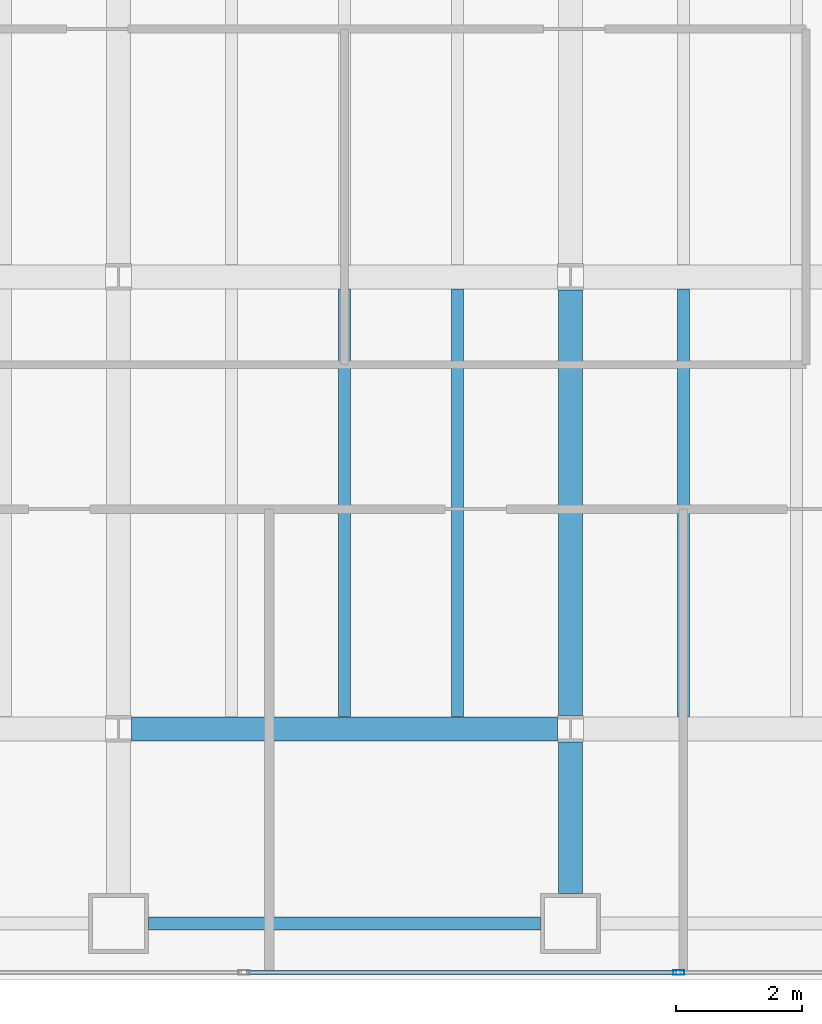
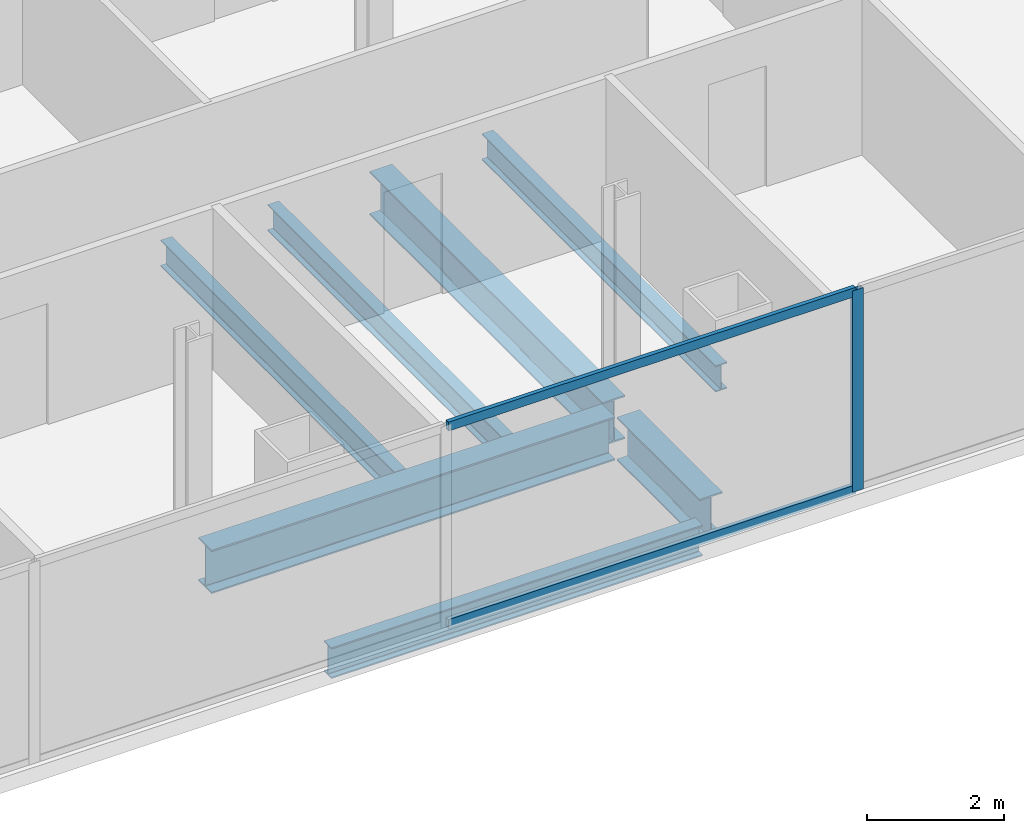
# One storey, part 5 of 23: 7 beams, 3 members, 1 element without a shape of its own.
"""IFC4 building model written with IfcOpenShell, lengths in metres."""

from ifc_helpers import new_model, si_unit, direction, frame, origin, origin_2d, place, context, subcontext, project, spatial, hollow_rectangle, i_section, extrude, material, material_profile, profile_set, type_object, element, aggregate, save


model = new_model("IFC4")

# Units and contexts
model_context = context("Model", 3, precision=1e-05, world=origin(), true_north=direction((0.0, 1.0)))
body_context = subcontext(model_context, "Body", "Model", "MODEL_VIEW")
ifc_project = project(units=[si_unit("LENGTHUNIT", "METRE"), si_unit("AREAUNIT", "SQUARE_METRE"), si_unit("VOLUMEUNIT", "CUBIC_METRE"), si_unit("PLANEANGLEUNIT", "RADIAN"), si_unit("MASSUNIT", "GRAM", prefix="KILO")], contexts=[model_context])

# Site, building, storey
site_placement = place(None, origin())
site = spatial("IfcSite", under=ifc_project, at=site_placement, CompositionType="ELEMENT")
building_placement = place(site_placement, origin())
building = spatial("IfcBuilding", under=site, at=building_placement, Name="Cobrela Telecom Tower", CompositionType="ELEMENT")
storey_placement = place(building_placement, frame((0.0, 0.0, 113.75)))
storey = spatial("IfcBuildingStorey", under=building, at=storey_placement, Name="L28", CompositionType="ELEMENT", Elevation=113.75)

# Beams
ifc_material_1 = material(Name="Steel ASTM A992 Grade 50", Category="steel")
ifc_material_profile_1 = material_profile(ifc_material_1, i_section(OverallWidth=0.381103515625, OverallDepth=0.77197265625, WebThickness=0.0166015625, FlangeThickness=0.027099609375, FilletRadius=0.01904296875, at=origin_2d()), Name="W30X173")
ifc_profile_set_1 = profile_set([ifc_material_profile_1], Name="Steel ASTM A992 Grade 50")
beam_type_1 = type_object("IfcBeamType", Name="BM-GIRD-04", PredefinedType="USERDEFINED", material=ifc_profile_set_1)
beam_1_placement = place(storey_placement, frame((21.8095703125, 7.199951171875, -0.656005859375), z_axis=(1.0, 0.0, 0.0), x_axis=(0.0, 1.0, 0.0)))
element("IfcBeam", 1, at=beam_1_placement, inside=storey, type_object=beam_type_1, Name="L28 Primary Girder X09", ObjectType="GIRDER", PredefinedType="USERDEFINED", context=body_context, shape_type="SweptSolid", body=[
    extrude(i_section(OverallWidth=0.381103515625, OverallDepth=0.77197265625, WebThickness=0.0166015625, FlangeThickness=0.027099609375, FilletRadius=0.01904296875, at=origin_2d()), origin(), (0.0, 0.0, 1.0), 6.781005859375),
])
beam_2_placement = place(storey_placement, frame((28.800048828125, 4.580078125, -0.656005859375), z_axis=(0.0, 1.0, 0.0), x_axis=(-1.0, 0.0, 0.0)))
element("IfcBeam", 2, at=beam_2_placement, inside=storey, type_object=beam_type_1, Name="L28 Primary Girder Y46", ObjectType="GIRDER", PredefinedType="USERDEFINED", context=body_context, shape_type="SweptSolid", body=[
    extrude(i_section(OverallWidth=0.381103515625, OverallDepth=0.77197265625, WebThickness=0.0166015625, FlangeThickness=0.027099609375, FilletRadius=0.01904296875, at=origin_2d()), origin(), (0.0, 0.0, 1.0), 2.410400390625),
])
beam_3_placement = place(storey_placement, frame((28.800048828125, 7.409423828125, -0.656005859375), z_axis=(0.0, 1.0, 0.0), x_axis=(-1.0, 0.0, 0.0)))
element("IfcBeam", 3, at=beam_3_placement, inside=storey, type_object=beam_type_1, Name="L28 Primary Girder Y47", ObjectType="GIRDER", PredefinedType="USERDEFINED", context=body_context, shape_type="SweptSolid", body=[
    extrude(i_section(OverallWidth=0.381103515625, OverallDepth=0.77197265625, WebThickness=0.0166015625, FlangeThickness=0.027099609375, FilletRadius=0.01904296875, at=origin_2d()), origin(), (0.0, 0.0, 1.0), 6.781005859375),
])
ifc_material_profile_2 = material_profile(ifc_material_1, i_section(OverallWidth=0.193115234375, OverallDepth=0.467041015625, WebThickness=0.011474609375, FlangeThickness=0.01904296875, FilletRadius=0.012939453125, at=origin_2d()), Name="W18X65")
ifc_profile_set_2 = profile_set([ifc_material_profile_2], Name="Steel ASTM A992 Grade 50")
beam_type_2 = type_object("IfcBeamType", Name="BM-JOIST-03", PredefinedType="JOIST", material=ifc_profile_set_2)
for number, where, z_axis, x_axis, name in (
    (4, (25.199951171875, 7.3955078125, -0.50341796875), (0.0, 1.0, 0.0), (-1.0, 0.0, 0.0), "L28 Secondary Composite Floor Beam J23"),
    (5, (27.0, 7.3955078125, -0.50341796875), (0.0, 1.0, 0.0), (-1.0, 0.0, 0.0), "L28 Secondary Composite Floor Beam J25"),
    (6, (30.60009765625, 7.3955078125, -0.50341796875), (0.0, 1.0, 0.0), (-1.0, 0.0, 0.0), "L28 Secondary Composite Floor Beam J27"),
):
    element("IfcBeam", number, at=place(storey_placement, frame(where, z_axis=z_axis, x_axis=x_axis)), inside=storey, type_object=beam_type_2, Name=name, PredefinedType="JOIST", context=body_context, shape_type="SweptSolid", body=[
        extrude(i_section(OverallWidth=0.193115234375, OverallDepth=0.467041015625, WebThickness=0.011474609375, FlangeThickness=0.01904296875, FilletRadius=0.012939453125, at=origin_2d()), origin(), (0.0, 0.0, 1.0), 6.80908203125),
    ])
ifc_material_profile_3 = material_profile(ifc_material_1, i_section(OverallWidth=0.212890625, OverallDepth=0.549072265625, WebThickness=0.0146484375, FlangeThickness=0.023681640625, FilletRadius=0.013916015625, at=origin_2d()), Name="W21X93")
ifc_profile_set_3 = profile_set([ifc_material_profile_3], Name="Steel ASTM A992 Grade 50")
beam_type_3 = type_object("IfcBeamType", Name="BM-SPAND-03", PredefinedType="SPANDREL", material=ifc_profile_set_3)
beam_4_placement = place(storey_placement, frame((22.080078125, 4.10009765625, -0.54443359375), z_axis=(1.0, 0.0, 0.0), x_axis=(0.0, 1.0, 0.0)))
element("IfcBeam", 7, at=beam_4_placement, inside=storey, type_object=beam_type_3, Name="L28 Perimeter Spandrel X03", PredefinedType="SPANDREL", context=body_context, shape_type="SweptSolid", body=[
    extrude(i_section(OverallWidth=0.212890625, OverallDepth=0.549072265625, WebThickness=0.0146484375, FlangeThickness=0.023681640625, FilletRadius=0.013916015625, at=origin_2d()), origin(), (0.0, 0.0, 1.0), 6.239990234375),
])

# Curtain wall, members
ifc_material_2 = material(Name="Anodized Bronze Aluminium 6063-T6", Category="aluminium")
curtain_wall_type = type_object("IfcCurtainWallType", Name="CW-SYS-TEL", PredefinedType="USERDEFINED", material=ifc_material_2)
curtain_wall_placement = place(storey_placement, origin())
curtain_wall = element("IfcCurtainWall", 8, at=curtain_wall_placement, inside=storey, type_object=curtain_wall_type, Name="L28 Unitised Bronze Curtain Wall 17", ObjectType="UNITISED CURTAIN WALL", PredefinedType="USERDEFINED")
ifc_material_profile_4 = material_profile(ifc_material_2, hollow_rectangle(XDim=0.074951171875, YDim=0.179931640625, WallThickness=0.00390625, at=origin_2d()), Name="ALU 75x180x4")
ifc_profile_set_4 = profile_set([ifc_material_profile_4], Name="Anodized Bronze Aluminium 6063-T6")
member_type_1 = type_object("IfcMemberType", Name="CW-SYS-TEL-MUL", PredefinedType="MULLION", material=ifc_profile_set_4)
member_1_placement = place(storey_placement, frame((30.5234375, 3.320068359375, 0.0), z_axis=(0.0, 0.0, 1.0), x_axis=(0.0, -1.0, 0.0)))
member_1 = element("IfcMember", 9, at=member_1_placement, type_object=member_type_1, Name="CW-TEL mullion 3", PredefinedType="MULLION", context=body_context, shape_type="SweptSolid", body=[
    extrude(hollow_rectangle(XDim=0.074951171875, YDim=0.179931640625, WallThickness=0.00390625, at=origin_2d()), origin(), (0.0, 0.0, 1.0), 3.580078125),
])
ifc_material_profile_5 = material_profile(ifc_material_2, hollow_rectangle(XDim=0.070068359375, YDim=0.159912109375, WallThickness=0.00390625, at=origin_2d()), Name="ALU 70x160x4")
ifc_profile_set_5 = profile_set([ifc_material_profile_5], Name="Anodized Bronze Aluminium 6063-T6")
member_type_2 = type_object("IfcMemberType", Name="CW-SYS-TEL-TRN", PredefinedType="USERDEFINED", material=ifc_profile_set_5)
member_2_placement = place(storey_placement, frame((30.48583984375, 3.320068359375, 0.034912109375), z_axis=(-1.0, 0.0, 0.0), x_axis=(0.0, -1.0, 0.0)))
member_2 = element("IfcMember", 10, at=member_2_placement, type_object=member_type_2, Name="CW-TEL transom 3.1", ObjectType="TRANSOM", PredefinedType="USERDEFINED", context=body_context, shape_type="SweptSolid", body=[
    extrude(hollow_rectangle(XDim=0.070068359375, YDim=0.159912109375, WallThickness=0.00390625, at=origin_2d()), origin(), (0.0, 0.0, 1.0), 6.848388671875),
])
member_3_placement = place(storey_placement, frame((30.48583984375, 3.320068359375, 3.544921875), z_axis=(-1.0, 0.0, 0.0), x_axis=(0.0, -1.0, 0.0)))
member_3 = element("IfcMember", 11, at=member_3_placement, type_object=member_type_2, Name="CW-TEL transom 3.2", ObjectType="TRANSOM", PredefinedType="USERDEFINED", context=body_context, shape_type="SweptSolid", body=[
    extrude(hollow_rectangle(XDim=0.070068359375, YDim=0.159912109375, WallThickness=0.00390625, at=origin_2d()), origin(), (0.0, 0.0, 1.0), 6.848388671875),
])
aggregate(curtain_wall, [member_1, member_2, member_3])

save(model, "model.ifc")
